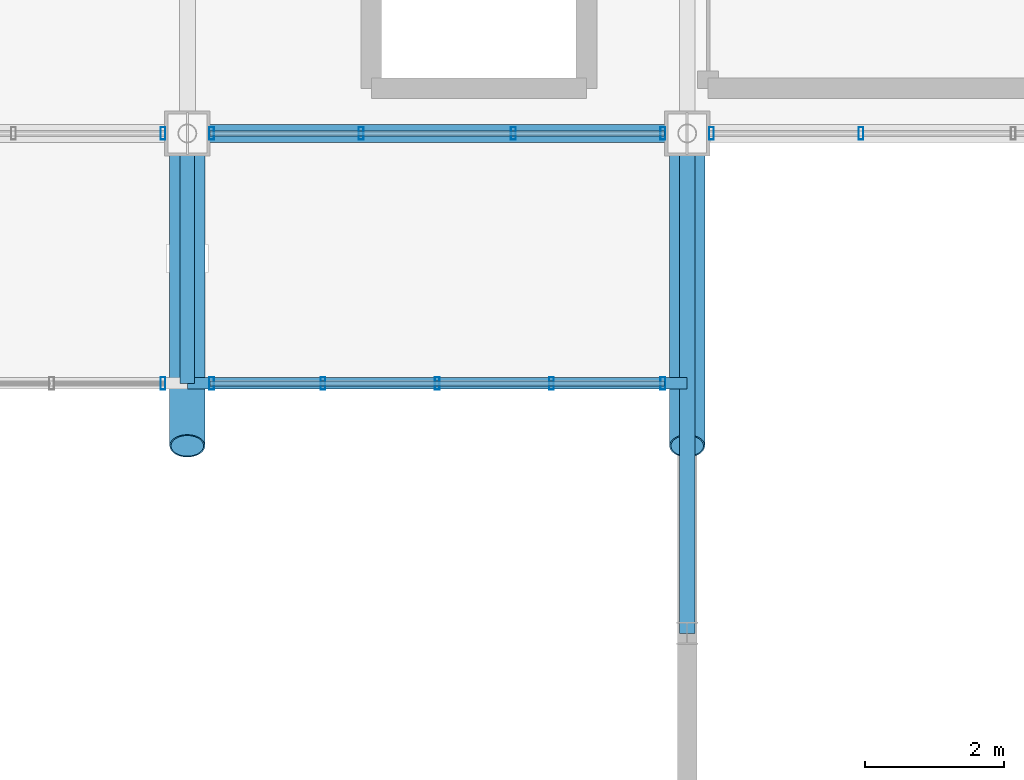
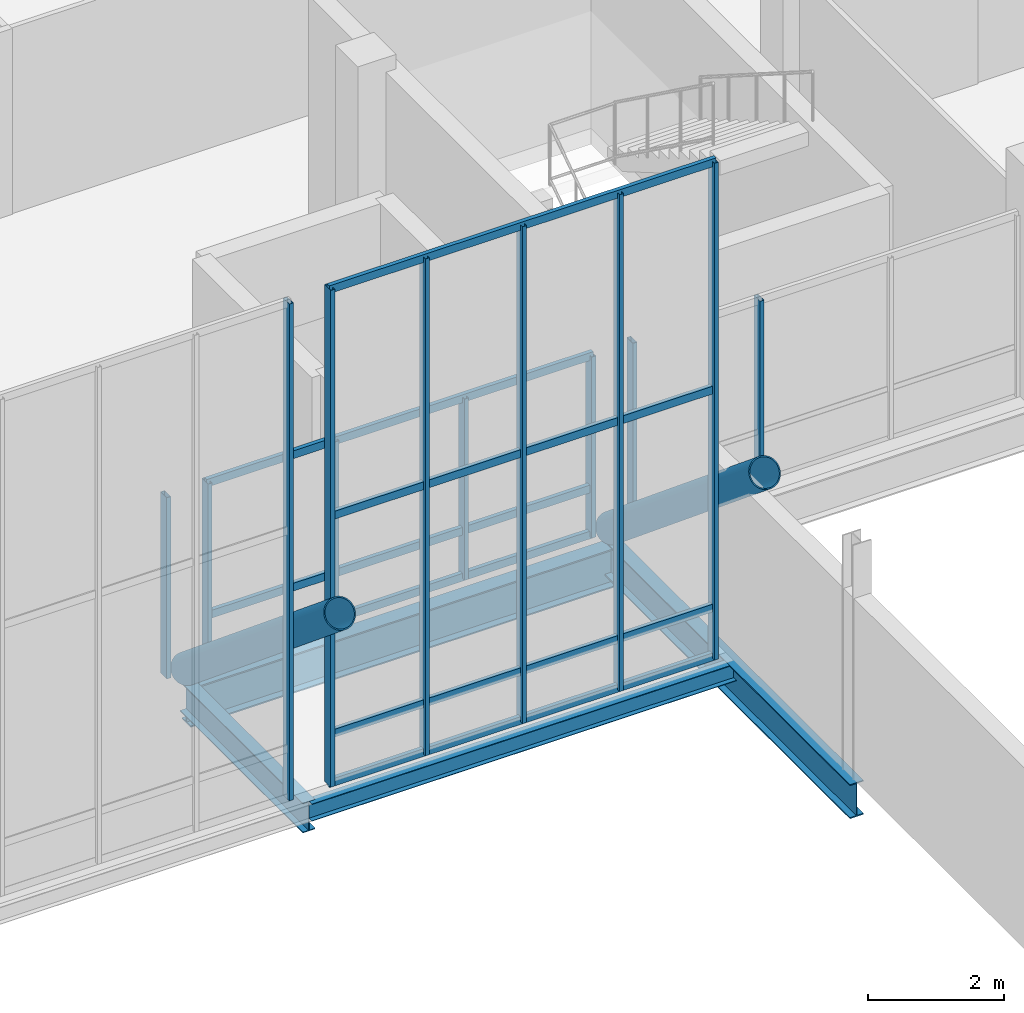
# One storey, part 56 of 102: 22 members, 4 beams, 5 elements without a shape of their own.
"""IFC4 building model written with IfcOpenShell, lengths in metres."""

from ifc_helpers import new_model, si_unit, direction, frame, origin, origin_2d, place, context, subcontext, project, spatial, hollow_rectangle, hollow_circle, i_section, extrude, material, material_profile, profile_set, type_object, element, aggregate, save


model = new_model("IFC4")

# Units and contexts
model_context = context("Model", 3, precision=1e-05, world=origin(), true_north=direction((0.0, 1.0)))
body_context = subcontext(model_context, "Body", "Model", "MODEL_VIEW")
ifc_project = project(units=[si_unit("LENGTHUNIT", "METRE"), si_unit("AREAUNIT", "SQUARE_METRE"), si_unit("VOLUMEUNIT", "CUBIC_METRE"), si_unit("PLANEANGLEUNIT", "RADIAN"), si_unit("MASSUNIT", "GRAM", prefix="KILO")], contexts=[model_context])

# Site, building, storey
site_placement = place(None, origin())
site = spatial("IfcSite", under=ifc_project, at=site_placement, CompositionType="ELEMENT")
building_placement = place(site_placement, origin())
building = spatial("IfcBuilding", under=site, at=building_placement, Name="Yarey Park Central Fire Station", CompositionType="ELEMENT")
storey_placement = place(building_placement, frame((0.0, 0.0, 6.0)))
storey = spatial("IfcBuildingStorey", under=building, at=storey_placement, Name="L02", CompositionType="ELEMENT", Elevation=6.0)

# Curtain wall, member
ifc_material_1 = material(Name="Anodized Aluminium Frame", Category="aluminium")
curtain_wall_type_1 = type_object("IfcCurtainWallType", Name="ENV_CW_CLER_9M", PredefinedType="NOTDEFINED", material=ifc_material_1)
curtain_wall_1_placement = place(storey_placement, origin())
curtain_wall_1 = element("IfcCurtainWall", 1, at=curtain_wall_1_placement, inside=storey, type_object=curtain_wall_type_1, Name="CW_V2_CLER_N_10", PredefinedType="NOTDEFINED")
ifc_material_profile_1 = material_profile(ifc_material_1, hollow_rectangle(XDim=0.070068359375, YDim=0.179931640625, WallThickness=0.00390625, at=origin_2d()), Name="ALU 180x70x4")
ifc_profile_set_1 = profile_set([ifc_material_profile_1], Name="Anodized Aluminium Frame")
member_type_1 = type_object("IfcMemberType", Name="ENV_CW_MULLION", PredefinedType="MULLION", material=ifc_profile_set_1)
member_1_placement = place(storey_placement, frame((129.25, 90.0, 0.0), z_axis=(0.0, 0.0, 1.0), x_axis=(1.0, 0.0, 0.0)))
member_1 = element("IfcMember", 2, at=member_1_placement, type_object=member_type_1, Name="CW_V2_CLER_N_10_MUL1", PredefinedType="MULLION", context=body_context, shape_type="SweptSolid", body=[
    extrude(hollow_rectangle(XDim=0.070068359375, YDim=0.179931640625, WallThickness=0.00390625, at=origin_2d()), origin(), (0.0, 0.0, 1.0), 8.89990234375),
])
aggregate(curtain_wall_1, [member_1])

# Curtain wall, members
curtain_wall_2_placement = place(storey_placement, origin())
curtain_wall_2 = element("IfcCurtainWall", 3, at=curtain_wall_2_placement, inside=storey, type_object=curtain_wall_type_1, Name="CW_V2_CLER_N_11", PredefinedType="NOTDEFINED")
member_2_placement = place(storey_placement, frame((136.449951171875, 90.0, 0.0), z_axis=(0.0, 0.0, 1.0), x_axis=(1.0, 0.0, 0.0)))
member_2 = element("IfcMember", 4, at=member_2_placement, type_object=member_type_1, Name="CW_V2_CLER_N_11_MUL1", PredefinedType="MULLION", context=body_context, shape_type="SweptSolid", body=[
    extrude(hollow_rectangle(XDim=0.070068359375, YDim=0.179931640625, WallThickness=0.00390625, at=origin_2d()), origin(), (0.0, 0.0, 1.0), 8.89990234375),
])
member_3_placement = place(storey_placement, frame((134.844970703125, 90.0, 0.0), z_axis=(0.0, 0.0, 1.0), x_axis=(1.0, 0.0, 0.0)))
member_3 = element("IfcMember", 5, at=member_3_placement, type_object=member_type_1, Name="CW_V2_CLER_N_11_MUL2", PredefinedType="MULLION", context=body_context, shape_type="SweptSolid", body=[
    extrude(hollow_rectangle(XDim=0.070068359375, YDim=0.179931640625, WallThickness=0.00390625, at=origin_2d()), origin(), (0.0, 0.0, 1.0), 8.89990234375),
])
member_4_placement = place(storey_placement, frame((133.199951171875, 90.0, 0.0), z_axis=(0.0, 0.0, 1.0), x_axis=(1.0, 0.0, 0.0)))
member_4 = element("IfcMember", 6, at=member_4_placement, type_object=member_type_1, Name="CW_V2_CLER_N_11_MUL3", PredefinedType="MULLION", context=body_context, shape_type="SweptSolid", body=[
    extrude(hollow_rectangle(XDim=0.070068359375, YDim=0.179931640625, WallThickness=0.00390625, at=origin_2d()), origin(), (0.0, 0.0, 1.0), 8.89990234375),
])
member_5_placement = place(storey_placement, frame((131.554931640625, 90.0, 0.0), z_axis=(0.0, 0.0, 1.0), x_axis=(1.0, 0.0, 0.0)))
member_5 = element("IfcMember", 7, at=member_5_placement, type_object=member_type_1, Name="CW_V2_CLER_N_11_MUL4", PredefinedType="MULLION", context=body_context, shape_type="SweptSolid", body=[
    extrude(hollow_rectangle(XDim=0.070068359375, YDim=0.179931640625, WallThickness=0.00390625, at=origin_2d()), origin(), (0.0, 0.0, 1.0), 8.89990234375),
])
member_6_placement = place(storey_placement, frame((129.949951171875, 90.0, 0.0), z_axis=(0.0, 0.0, 1.0), x_axis=(1.0, 0.0, 0.0)))
member_6 = element("IfcMember", 8, at=member_6_placement, type_object=member_type_1, Name="CW_V2_CLER_N_11_MUL5", PredefinedType="MULLION", context=body_context, shape_type="SweptSolid", body=[
    extrude(hollow_rectangle(XDim=0.070068359375, YDim=0.179931640625, WallThickness=0.00390625, at=origin_2d()), origin(), (0.0, 0.0, 1.0), 8.89990234375),
])

# Curtain wall, member
curtain_wall_type_2 = type_object("IfcCurtainWallType", Name="ENV_CW_HQ_L02", PredefinedType="NOTDEFINED", material=ifc_material_1)
curtain_wall_3_placement = place(storey_placement, origin())
curtain_wall_3 = element("IfcCurtainWall", 9, at=curtain_wall_3_placement, inside=storey, type_object=curtain_wall_type_2, Name="CW_L02_V4_S_2", PredefinedType="NOTDEFINED")
member_7_placement = place(storey_placement, frame((129.25, 93.60009765625, 0.0), z_axis=(0.0, 0.0, 1.0), x_axis=(1.0, 0.0, 0.0)))
member_7 = element("IfcMember", 10, at=member_7_placement, type_object=member_type_1, Name="CW_L02_V4_S_2_MUL4", PredefinedType="MULLION", context=body_context, shape_type="SweptSolid", body=[
    extrude(hollow_rectangle(XDim=0.070068359375, YDim=0.179931640625, WallThickness=0.00390625, at=origin_2d()), origin(), (0.0, 0.0, 1.0), 3.2470703125),
])
aggregate(curtain_wall_3, [member_7])

# Curtain wall, members
curtain_wall_4_placement = place(storey_placement, origin())
curtain_wall_4 = element("IfcCurtainWall", 11, at=curtain_wall_4_placement, inside=storey, type_object=curtain_wall_type_2, Name="CW_L02_V4_S_3", PredefinedType="NOTDEFINED")
member_8_placement = place(storey_placement, frame((129.949951171875, 93.60009765625, 0.0), z_axis=(0.0, 0.0, 1.0), x_axis=(1.0, 0.0, 0.0)))
member_8 = element("IfcMember", 12, at=member_8_placement, type_object=member_type_1, Name="CW_L02_V4_S_3_MUL1", PredefinedType="MULLION", context=body_context, shape_type="SweptSolid", body=[
    extrude(hollow_rectangle(XDim=0.070068359375, YDim=0.179931640625, WallThickness=0.00390625, at=origin_2d()), origin(), (0.0, 0.0, 1.0), 3.2470703125),
])
member_9_placement = place(storey_placement, frame((132.103271484375, 93.60009765625, 0.0), z_axis=(0.0, 0.0, 1.0), x_axis=(1.0, 0.0, 0.0)))
member_9 = element("IfcMember", 13, at=member_9_placement, type_object=member_type_1, Name="CW_L02_V4_S_3_MUL2", PredefinedType="MULLION", context=body_context, shape_type="SweptSolid", body=[
    extrude(hollow_rectangle(XDim=0.070068359375, YDim=0.179931640625, WallThickness=0.00390625, at=origin_2d()), origin(), (0.0, 0.0, 1.0), 3.2470703125),
])
member_10_placement = place(storey_placement, frame((134.296630859375, 93.60009765625, 0.0), z_axis=(0.0, 0.0, 1.0), x_axis=(1.0, 0.0, 0.0)))
member_10 = element("IfcMember", 14, at=member_10_placement, type_object=member_type_1, Name="CW_L02_V4_S_3_MUL3", PredefinedType="MULLION", context=body_context, shape_type="SweptSolid", body=[
    extrude(hollow_rectangle(XDim=0.070068359375, YDim=0.179931640625, WallThickness=0.00390625, at=origin_2d()), origin(), (0.0, 0.0, 1.0), 3.2470703125),
])
member_11_placement = place(storey_placement, frame((136.449951171875, 93.60009765625, 0.0), z_axis=(0.0, 0.0, 1.0), x_axis=(1.0, 0.0, 0.0)))
member_11 = element("IfcMember", 15, at=member_11_placement, type_object=member_type_1, Name="CW_L02_V4_S_3_MUL4", PredefinedType="MULLION", context=body_context, shape_type="SweptSolid", body=[
    extrude(hollow_rectangle(XDim=0.070068359375, YDim=0.179931640625, WallThickness=0.00390625, at=origin_2d()), origin(), (0.0, 0.0, 1.0), 3.2470703125),
])

curtain_wall_5_placement = place(storey_placement, origin())
curtain_wall_5 = element("IfcCurtainWall", 16, at=curtain_wall_5_placement, inside=storey, type_object=curtain_wall_type_2, Name="CW_L02_V4_S_4", PredefinedType="NOTDEFINED")
member_12_placement = place(storey_placement, frame((137.14990234375, 93.60009765625, 0.0), z_axis=(0.0, 0.0, 1.0), x_axis=(1.0, 0.0, 0.0)))
member_12 = element("IfcMember", 17, at=member_12_placement, type_object=member_type_1, Name="CW_L02_V4_S_4_MUL1", PredefinedType="MULLION", context=body_context, shape_type="SweptSolid", body=[
    extrude(hollow_rectangle(XDim=0.070068359375, YDim=0.179931640625, WallThickness=0.00390625, at=origin_2d()), origin(), (0.0, 0.0, 1.0), 3.2470703125),
])
member_13_placement = place(storey_placement, frame((139.30322265625, 93.60009765625, 0.0), z_axis=(0.0, 0.0, 1.0), x_axis=(1.0, 0.0, 0.0)))
member_13 = element("IfcMember", 18, at=member_13_placement, type_object=member_type_1, Name="CW_L02_V4_S_4_MUL2", PredefinedType="MULLION", context=body_context, shape_type="SweptSolid", body=[
    extrude(hollow_rectangle(XDim=0.070068359375, YDim=0.179931640625, WallThickness=0.00390625, at=origin_2d()), origin(), (0.0, 0.0, 1.0), 3.2470703125),
])
aggregate(curtain_wall_5, [member_12, member_13])

# Member
ifc_material_profile_2 = material_profile(ifc_material_1, hollow_rectangle(XDim=0.070068359375, YDim=0.139892578125, WallThickness=0.00390625, at=origin_2d()), Name="ALU 140x70x4")
ifc_profile_set_2 = profile_set([ifc_material_profile_2], Name="Anodized Aluminium Frame")
member_type_2 = type_object("IfcMemberType", Name="ENV_CW_TRANSOM", PredefinedType="USERDEFINED", material=ifc_profile_set_2)
member_14_placement = place(storey_placement, frame((136.47509765625, 90.0, 0.02490234375), z_axis=(-1.0, 0.0, 0.0), x_axis=(0.0, -1.0, 0.0)))
member_14 = element("IfcMember", 19, at=member_14_placement, type_object=member_type_2, Name="CW_V2_CLER_N_11_TRN1", ObjectType="TRANSOM", PredefinedType="USERDEFINED", context=body_context, shape_type="SweptSolid", body=[
    extrude(hollow_rectangle(XDim=0.070068359375, YDim=0.139892578125, WallThickness=0.00390625, at=origin_2d()), origin(), (0.0, 0.0, 1.0), 6.550048828125),
])

member_15_placement = place(storey_placement, frame((136.47509765625, 90.0, 0.89990234375), z_axis=(-1.0, 0.0, 0.0), x_axis=(0.0, -1.0, 0.0)))
member_15 = element("IfcMember", 20, at=member_15_placement, type_object=member_type_2, Name="CW_V2_CLER_N_11_TRN2", ObjectType="TRANSOM", PredefinedType="USERDEFINED", context=body_context, shape_type="SweptSolid", body=[
    extrude(hollow_rectangle(XDim=0.070068359375, YDim=0.139892578125, WallThickness=0.00390625, at=origin_2d()), origin(), (0.0, 0.0, 1.0), 6.550048828125),
])

member_16_placement = place(storey_placement, frame((136.47509765625, 90.0, 4.805908203125), z_axis=(-1.0, 0.0, 0.0), x_axis=(0.0, -1.0, 0.0)))
member_16 = element("IfcMember", 21, at=member_16_placement, type_object=member_type_2, Name="CW_V2_CLER_N_11_TRN3", ObjectType="TRANSOM", PredefinedType="USERDEFINED", context=body_context, shape_type="SweptSolid", body=[
    extrude(hollow_rectangle(XDim=0.070068359375, YDim=0.139892578125, WallThickness=0.00390625, at=origin_2d()), origin(), (0.0, 0.0, 1.0), 6.550048828125),
])

member_17_placement = place(storey_placement, frame((136.47509765625, 90.0, 8.875), z_axis=(-1.0, 0.0, 0.0), x_axis=(0.0, -1.0, 0.0)))
member_17 = element("IfcMember", 22, at=member_17_placement, type_object=member_type_2, Name="CW_V2_CLER_N_11_TRN4", ObjectType="TRANSOM", PredefinedType="USERDEFINED", context=body_context, shape_type="SweptSolid", body=[
    extrude(hollow_rectangle(XDim=0.070068359375, YDim=0.139892578125, WallThickness=0.00390625, at=origin_2d()), origin(), (0.0, 0.0, 1.0), 6.550048828125),
])

aggregate(curtain_wall_2, [member_2, member_3, member_4, member_5, member_6, member_14, member_15, member_16, member_17])

member_18_placement = place(storey_placement, frame((129.925048828125, 93.60009765625, 0.02490234375), z_axis=(1.0, 0.0, 0.0), x_axis=(0.0, 1.0, 0.0)))
member_18 = element("IfcMember", 23, at=member_18_placement, type_object=member_type_2, Name="CW_L02_V4_S_3_TRN1", ObjectType="TRANSOM", PredefinedType="USERDEFINED", context=body_context, shape_type="SweptSolid", body=[
    extrude(hollow_rectangle(XDim=0.070068359375, YDim=0.139892578125, WallThickness=0.00390625, at=origin_2d()), origin(), (0.0, 0.0, 1.0), 6.550048828125),
])

member_19_placement = place(storey_placement, frame((129.925048828125, 93.60009765625, 0.85009765625), z_axis=(1.0, 0.0, 0.0), x_axis=(0.0, 1.0, 0.0)))
member_19 = element("IfcMember", 24, at=member_19_placement, type_object=member_type_2, Name="CW_L02_V4_S_3_TRN2", ObjectType="TRANSOM", PredefinedType="USERDEFINED", context=body_context, shape_type="SweptSolid", body=[
    extrude(hollow_rectangle(XDim=0.070068359375, YDim=0.139892578125, WallThickness=0.00390625, at=origin_2d()), origin(), (0.0, 0.0, 1.0), 6.550048828125),
])

member_20_placement = place(storey_placement, frame((129.925048828125, 93.60009765625, 3.221923828125), z_axis=(1.0, 0.0, 0.0), x_axis=(0.0, 1.0, 0.0)))
member_20 = element("IfcMember", 25, at=member_20_placement, type_object=member_type_2, Name="CW_L02_V4_S_3_TRN3", ObjectType="TRANSOM", PredefinedType="USERDEFINED", context=body_context, shape_type="SweptSolid", body=[
    extrude(hollow_rectangle(XDim=0.070068359375, YDim=0.139892578125, WallThickness=0.00390625, at=origin_2d()), origin(), (0.0, 0.0, 1.0), 6.550048828125),
])

aggregate(curtain_wall_4, [member_8, member_9, member_10, member_11, member_18, member_19, member_20])

# Beams
ifc_material_2 = material(Name="Steel ASTM A992 Gr. 50", Category="steel")
ifc_material_profile_3 = material_profile(ifc_material_2, i_section(OverallWidth=0.208984375, OverallDepth=0.532958984375, WebThickness=0.01025390625, FlangeThickness=0.015625, at=origin_2d()), Name="W530x92")
ifc_profile_set_3 = profile_set([ifc_material_profile_3], Name="Steel ASTM A992 Gr. 50")
beam_type_1 = type_object("IfcBeamType", Name="STR_BM_W530", PredefinedType="BEAM", material=ifc_profile_set_3)
beam_1_placement = place(storey_placement, frame((129.60009765625, 90.0, -0.46142578125), z_axis=(0.0, 1.0, 0.0), x_axis=(-1.0, 0.0, 0.0)))
element("IfcBeam", 26, at=beam_1_placement, inside=storey, type_object=beam_type_1, Name="EAVE RIB N 10", PredefinedType="BEAM", context=body_context, shape_type="SweptSolid", body=[
    extrude(i_section(OverallWidth=0.208984375, OverallDepth=0.532958984375, WebThickness=0.01025390625, FlangeThickness=0.015625, at=origin_2d()), origin(), (0.0, 0.0, 1.0), 3.60009765625),
])
ifc_material_profile_4 = material_profile(ifc_material_2, i_section(OverallWidth=0.22900390625, OverallDepth=0.612060546875, WebThickness=0.011962890625, FlangeThickness=0.01953125, at=origin_2d()), Name="W610x125")
ifc_profile_set_4 = profile_set([ifc_material_profile_4], Name="Steel ASTM A992 Gr. 50")
beam_type_2 = type_object("IfcBeamType", Name="STR_BM_W610", PredefinedType="BEAM", material=ifc_profile_set_4)
beam_2_placement = place(storey_placement, frame((136.800048828125, 86.39990234375, -0.5009765625), z_axis=(0.0, 1.0, 0.0), x_axis=(-1.0, 0.0, 0.0)))
element("IfcBeam", 27, at=beam_2_placement, inside=storey, type_object=beam_type_2, Name="BMY L02 X1368 Y864", PredefinedType="BEAM", context=body_context, shape_type="SweptSolid", body=[
    extrude(i_section(OverallWidth=0.22900390625, OverallDepth=0.612060546875, WebThickness=0.011962890625, FlangeThickness=0.01953125, at=origin_2d()), origin(), (0.0, 0.0, 1.0), 7.2001953125),
])
ifc_material_profile_5 = material_profile(ifc_material_2, i_section(OverallWidth=0.256103515625, OverallDepth=0.693115234375, WebThickness=0.014404296875, FlangeThickness=0.023681640625, at=origin_2d()), Name="W690x170")
ifc_profile_set_5 = profile_set([ifc_material_profile_5], Name="Steel ASTM A992 Gr. 50")
beam_type_3 = type_object("IfcBeamType", Name="STR_BM_W690", PredefinedType="BEAM", material=ifc_profile_set_5)
beam_3_placement = place(storey_placement, frame((129.60009765625, 93.60009765625, -0.631591796875), z_axis=(1.0, 0.0, 0.0), x_axis=(0.0, 1.0, 0.0)))
element("IfcBeam", 28, at=beam_3_placement, inside=storey, type_object=beam_type_3, Name="BMX L02 Y936 X1296", PredefinedType="BEAM", context=body_context, shape_type="SweptSolid", body=[
    extrude(i_section(OverallWidth=0.256103515625, OverallDepth=0.693115234375, WebThickness=0.014404296875, FlangeThickness=0.023681640625, at=origin_2d()), origin(), (0.0, 0.0, 1.0), 7.199951171875),
])

# Members
ifc_material_3 = material(Name="Steel ASTM A500 Gr. C", Category="steel")
ifc_material_profile_6 = material_profile(ifc_material_3, hollow_circle(Radius=0.25390625, WallThickness=0.02001953125, at=origin_2d()), Name="CHS 508x20")
ifc_profile_set_6 = profile_set([ifc_material_profile_6], Name="Steel ASTM A500 Gr. C")
member_type_3 = type_object("IfcMemberType", Name="STR_CHORD_CHS508", PredefinedType="CHORD", material=ifc_profile_set_6)
for number, where, z_axis, x_axis, name in (
    (29, (129.60009765625, 89.10009765625, 3.71875), (0.0, 0.770847459396, -0.637019775473), (-1.0, 0.0, 0.0), "Arched Roof Truss ART_11 Bottom Chord 8"),
    (30, (136.800048828125, 89.10009765625, 3.71875), (0.0, 0.770847459396, -0.637019775473), (-1.0, 0.0, 0.0), "Arched Roof Truss ART_12 Bottom Chord 8"),
):
    element("IfcMember", number, at=place(storey_placement, frame(where, z_axis=z_axis, x_axis=x_axis)), inside=storey, type_object=member_type_3, Name=name, PredefinedType="CHORD", context=body_context, shape_type="SweptSolid", body=[
        extrude(hollow_circle(Radius=0.25390625, WallThickness=0.02001953125, at=origin_2d()), origin(), (0.0, 0.0, 1.0), 5.837646484375),
    ])

# Beam
ifc_material_profile_7 = material_profile(ifc_material_2, i_section(OverallWidth=0.1650390625, OverallDepth=0.31005859375, WebThickness=0.005859375, FlangeThickness=0.009765625, at=origin_2d()), Name="W310x39")
ifc_profile_set_7 = profile_set([ifc_material_profile_7], Name="Steel ASTM A992 Gr. 50")
beam_type_4 = type_object("IfcBeamType", Name="STR_SPN_W310", PredefinedType="SPANDREL", material=ifc_profile_set_7)
beam_4_placement = place(storey_placement, frame((129.60009765625, 90.0, -0.35009765625), z_axis=(1.0, 0.0, 0.0), x_axis=(0.0, 1.0, 0.0)))
element("IfcBeam", 31, at=beam_4_placement, inside=storey, type_object=beam_type_4, Name="EAVE EDG N 10", PredefinedType="SPANDREL", context=body_context, shape_type="SweptSolid", body=[
    extrude(i_section(OverallWidth=0.1650390625, OverallDepth=0.31005859375, WebThickness=0.005859375, FlangeThickness=0.009765625, at=origin_2d()), origin(), (0.0, 0.0, 1.0), 7.199951171875),
])

save(model, "model.ifc")
